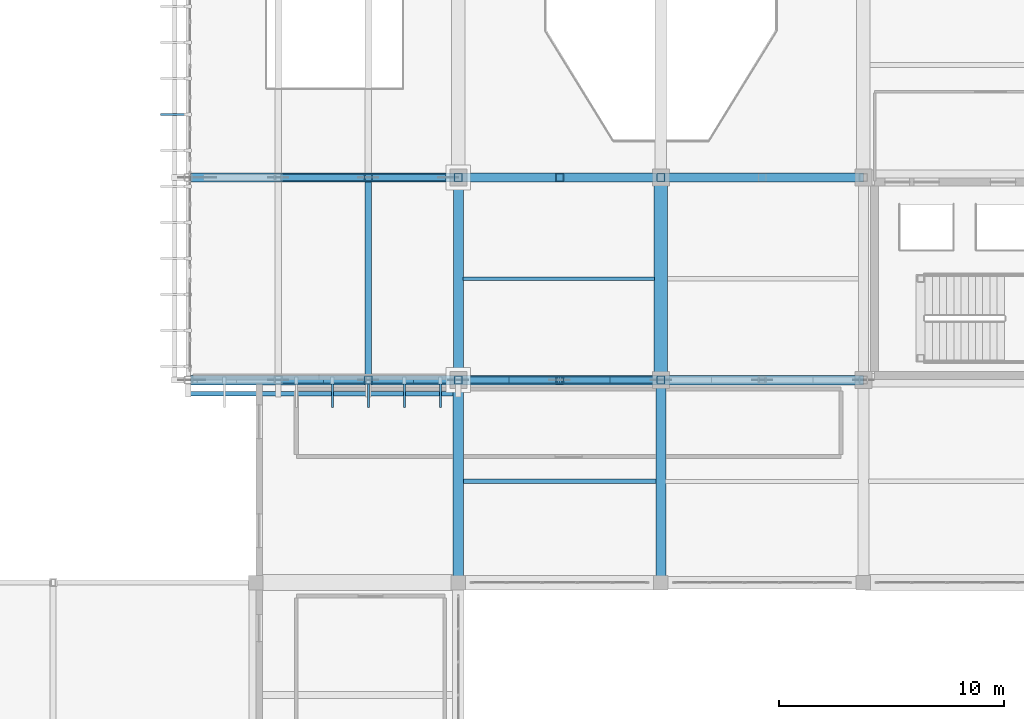
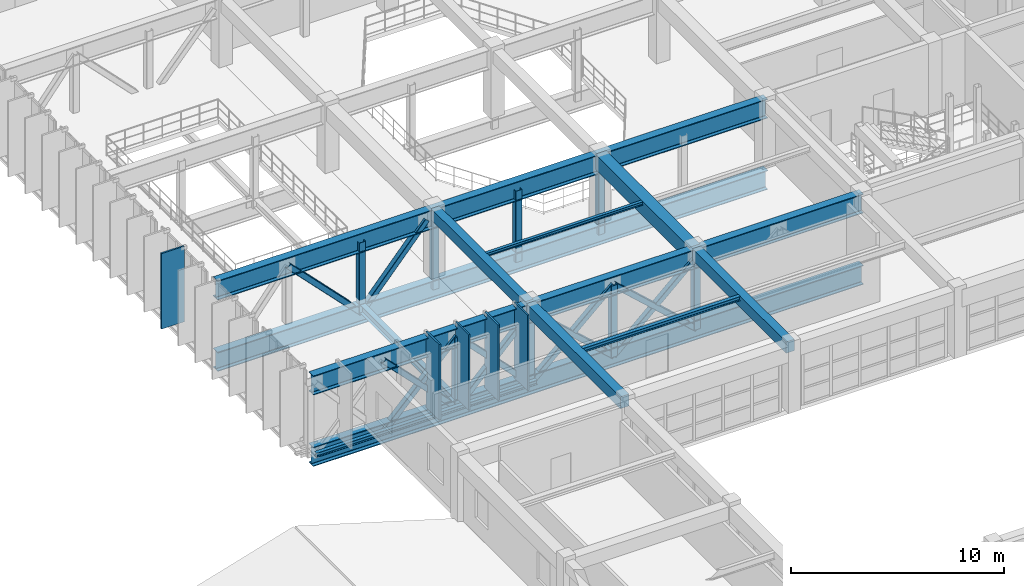
# One storey, part 34 of 130: 23 members, 12 beams.
"""IFC4 building model written with IfcOpenShell, lengths in metres."""

import ifcopenshell
import ifcopenshell.guid

model = None  # the IFC model being written
_history = None  # IfcOwnerHistory: only IFC2X3 demands one
_inside = {}  # id of a spatial element -> (the spatial element, [elements in it])
_under = {}  # id of a project, library or spatial element -> (it, [spatial elements below it])
_declared = {}  # id of a project -> (the project, [libraries it declares])
_typed = {}  # id of a type object -> (the type object, [elements of that type])
_made_of = {}  # id of a material, layer set ... -> (it, [elements and type objects made of it])


def new_model(schema):
    """Start an empty IFC model of exactly this schema.

    Asked for "IFC4X3", IfcOpenShell would pick the latest addendum, in which some entities
    have other attributes; the version numbers below select the first issue.
    IFC2X3 requires an IfcOwnerHistory on every rooted entity: one is made here for all.
    """
    global model, _history
    if schema == "IFC4X3":
        model = ifcopenshell.file(schema_version=(4, 3, 0, 0))
    else:
        model = ifcopenshell.file(schema=schema)
    _inside.clear()
    _under.clear()
    _declared.clear()
    _typed.clear()
    _made_of.clear()
    _history = None
    if model.schema == "IFC2X3":
        org = make("IfcOrganization", Name="unknown")
        user = make(
            "IfcPersonAndOrganization",
            ThePerson=make("IfcPerson", FamilyName="unknown"),
            TheOrganization=org,
        )
        app = make(
            "IfcApplication",
            ApplicationDeveloper=org,
            Version="unknown",
            ApplicationFullName="unknown",
            ApplicationIdentifier="unknown",
        )
        _history = make(
            "IfcOwnerHistory",
            OwningUser=user,
            OwningApplication=app,
            ChangeAction="ADDED",
            CreationDate=0,
        )
    return model


def make(cls, **values):
    """One entity of the class cls with the attributes given. An attribute that is None is left unset."""
    return model.create_entity(
        cls, **{name: value for name, value in values.items() if value is not None}
    )


def rooted(cls, **values):
    """An entity with a GlobalId (a new one), such as an element, a storey or a relation."""
    return make(cls, GlobalId=ifcopenshell.guid.new(), OwnerHistory=_history, **values)


def si_unit(unit_type, name, prefix=None):
    """IfcSIUnit, for example si_unit("LENGTHUNIT", "METRE", prefix="MILLI")."""
    return make("IfcSIUnit", UnitType=unit_type, Prefix=prefix, Name=name)


def assignment(units):
    """IfcUnitAssignment: the units of a project."""
    return None if units is None else make("IfcUnitAssignment", Units=units)


def point(xyz):
    """IfcCartesianPoint."""
    return None if xyz is None else make("IfcCartesianPoint", Coordinates=xyz)


def direction(xyz):
    """IfcDirection."""
    return None if xyz is None else make("IfcDirection", DirectionRatios=xyz)


def frame(location, z_axis=None, x_axis=None):
    """IfcAxis2Placement3D, a coordinate frame: its origin and axes. An axis left out is left unset."""
    return make(
        "IfcAxis2Placement3D",
        Location=point(location),
        Axis=direction(z_axis),
        RefDirection=direction(x_axis),
    )


def frame_2d(location, x_axis=None):
    """IfcAxis2Placement2D, a coordinate frame in the plane: its origin and x axis."""
    return make(
        "IfcAxis2Placement2D", Location=point(location), RefDirection=direction(x_axis)
    )


def origin():
    """The frame at (0, 0, 0) with its axes left unset."""
    return frame((0.0, 0.0, 0.0))


def origin_2d():
    """The frame at (0, 0) in the plane with its x axis left unset."""
    return frame_2d((0.0, 0.0))


def place(relative_to, where):
    """IfcLocalPlacement: puts the frame where relative to a parent placement (None: the world)."""
    return make(
        "IfcLocalPlacement", PlacementRelTo=relative_to, RelativePlacement=where
    )


def context(
    kind, dimensions, precision=None, world=None, true_north=None, identifier=None
):
    """IfcGeometricRepresentationContext, for example the 3D "Model" context."""
    return make(
        "IfcGeometricRepresentationContext",
        ContextIdentifier=identifier,
        ContextType=kind,
        CoordinateSpaceDimension=dimensions,
        Precision=precision,
        WorldCoordinateSystem=world,
        TrueNorth=true_north,
    )


def subcontext(parent, identifier, kind, view, scale=None):
    """IfcGeometricRepresentationSubContext, for example "Body" below "Model"."""
    return make(
        "IfcGeometricRepresentationSubContext",
        ContextIdentifier=identifier,
        ContextType=kind,
        ParentContext=parent,
        TargetScale=scale,
        TargetView=view,
    )


def project(units=None, contexts=None):
    """IfcProject with its units and contexts."""
    return rooted(
        "IfcProject",
        Name="project",
        RepresentationContexts=contexts,
        UnitsInContext=assignment(units),
    )


def spatial(cls, under=None, at=None, **own):
    """A site, building, storey or space (cls), placed at a placement, below another one or the project."""
    s = rooted(cls, ObjectPlacement=at, **own)
    if under is not None:
        _under.setdefault(under.id(), (under, []))[1].append(s)
    return s


def profile(cls, at=None, kind="AREA", **sizes):
    """A parametric profile (cls). Its sizes go by their IFC names, for example OverallWidth=200.0."""
    return make(cls, ProfileType=kind, Position=at, **sizes)


def rectangle(**sizes):
    """IfcRectangleProfileDef."""
    return profile("IfcRectangleProfileDef", **sizes)


def hollow_rectangle(**sizes):
    """IfcRectangleHollowProfileDef."""
    return profile("IfcRectangleHollowProfileDef", **sizes)


def i_section(**sizes):
    """IfcIShapeProfileDef."""
    return profile("IfcIShapeProfileDef", **sizes)


def extrude(swept, where, along, depth):
    """IfcExtrudedAreaSolid: the profile swept, set in the frame where, extruded along a direction by depth."""
    return make(
        "IfcExtrudedAreaSolid",
        SweptArea=swept,
        Position=where,
        ExtrudedDirection=direction(along),
        Depth=depth,
    )


def shape(context_of_items, identifier, shape_type, items):
    """IfcShapeRepresentation: the items that make up one representation, for example the "Body"."""
    return make(
        "IfcShapeRepresentation",
        ContextOfItems=context_of_items,
        RepresentationIdentifier=identifier,
        RepresentationType=shape_type,
        Items=items,
    )


def material(Name=None, Category=None):
    """IfcMaterial."""
    return make("IfcMaterial", Name=Name, Category=Category)


def material_profile(
    of_material, cross_section, Name=None, Category=None, Priority=None
):
    """IfcMaterialProfile: a cross section and its material."""
    return make(
        "IfcMaterialProfile",
        Name=Name,
        Material=of_material,
        Profile=cross_section,
        Priority=Priority,
        Category=Category,
    )


def profile_set(profiles, Name=None, composite=None):
    """IfcMaterialProfileSet."""
    return make(
        "IfcMaterialProfileSet",
        Name=Name,
        MaterialProfiles=profiles,
        CompositeProfile=composite,
    )


def made_of(thing, what):
    """Note that an element or type object is made of a material, layer set ...; save() writes the relation."""
    if what is not None:
        _made_of.setdefault(what.id(), (what, []))[1].append(thing)
    return thing


def type_object(cls, material=None, **own):
    """A type object (cls), such as IfcWallType, which elements share."""
    return made_of(rooted(cls, **own), material)


def element(
    cls,
    number,
    at=None,
    inside=None,
    cuts=None,
    type_object=None,
    material=None,
    context=None,
    identifier="Body",
    shape_type=None,
    held_by="IfcProductDefinitionShape",
    body=None,
    shapes=None,
    **own,
):
    """One element of the class cls, such as IfcWall. Its Tag is "e" and its number.

    at: its placement. inside: the storey or other place that contains it. cuts: it is an
    opening in that element (IfcRelVoidsElement). A single representation is given by context,
    identifier, shape_type and body (its items); several are given by shapes. held_by: the class
    of the entity that holds the representations. save() writes the other relations.
    """
    e = rooted(cls, Tag="e%d" % number, ObjectPlacement=at, **own)
    if body is not None:
        shapes = [shape(context, identifier, shape_type, body)]
    if shapes is not None:
        e.Representation = make(held_by, Representations=shapes)
    if inside is not None:
        _inside.setdefault(inside.id(), (inside, []))[1].append(e)
    if cuts is not None:
        rooted(
            "IfcRelVoidsElement", RelatingBuildingElement=cuts, RelatedOpeningElement=e
        )
    if type_object is not None:
        _typed.setdefault(type_object.id(), (type_object, []))[1].append(e)
    return made_of(e, material)


def aggregate(whole, parts):
    """IfcRelAggregates: a whole, such as a stair, and the parts it consists of."""
    return rooted("IfcRelAggregates", RelatingObject=whole, RelatedObjects=parts)


def save(model, path):
    """Write the relations noted so far, then the file.

    IfcRelAggregates (storeys below a building ...), IfcRelContainedInSpatialStructure (elements
    in a storey), IfcRelDefinesByType, IfcRelAssociatesMaterial and IfcRelDeclares: one each for
    every whole, place, type object, material and project.
    """
    for whole, parts in _under.values():
        aggregate(whole, parts)
    for where, things in _inside.values():
        rooted(
            "IfcRelContainedInSpatialStructure",
            RelatedElements=things,
            RelatingStructure=where,
        )
    for kind, things in _typed.values():
        rooted("IfcRelDefinesByType", RelatedObjects=things, RelatingType=kind)
    for what, things in _made_of.values():
        rooted("IfcRelAssociatesMaterial", RelatedObjects=things, RelatingMaterial=what)
    for by, libraries in _declared.values():
        rooted("IfcRelDeclares", RelatingContext=by, RelatedDefinitions=libraries)
    model.write(path)


model = new_model("IFC4")

# Units and contexts
model_context = context("Model", 3, precision=1e-05, world=origin(), true_north=direction((0.0, 1.0)))
body_context = subcontext(model_context, "Body", "Model", "MODEL_VIEW")
ifc_project = project(units=[si_unit("LENGTHUNIT", "METRE"), si_unit("AREAUNIT", "SQUARE_METRE"), si_unit("VOLUMEUNIT", "CUBIC_METRE"), si_unit("PLANEANGLEUNIT", "RADIAN"), si_unit("MASSUNIT", "GRAM", prefix="KILO")], contexts=[model_context])

# Site, building, storey
site_placement = place(None, origin())
site = spatial("IfcSite", under=ifc_project, at=site_placement, CompositionType="ELEMENT")
building_placement = place(site_placement, origin())
building = spatial("IfcBuilding", under=site, at=building_placement, Name="Miravela Opera House", CompositionType="ELEMENT")
storey_placement = place(building_placement, frame((0.0, 0.0, 9.52001953125)))
storey = spatial("IfcBuildingStorey", under=building, at=storey_placement, Name="L02", CompositionType="ELEMENT", Elevation=9.52001953125)

# Members
ifc_material_1 = material(Name="Anodised architectural bronze aluminium 6063-T6", Category="aluminium")
ifc_material_profile_1 = material_profile(ifc_material_1, rectangle(XDim=0.090087890625, YDim=1.25, at=origin_2d()), Name="FIN-1250X90")
ifc_profile_set_1 = profile_set([ifc_material_profile_1])
member_type_1 = type_object("IfcMemberType", Name="ARC-FIN-1250", PredefinedType="USERDEFINED", material=ifc_profile_set_1)
for number, where, z_axis, x_axis, name in (
    (1, (14.39501953125, 48.800048828125, -0.260009765625), (0.0, 0.0, 1.0), (0.0, 1.0, 0.0), "Auditorium Wrapper Bronze Solar Fin FIN-L02-WEST-0008"),
    (2, (21.39990234375, 36.39501953125, -0.260009765625), (0.0, 0.0, 1.0), (1.0, 0.0, 0.0), "Auditorium Wrapper Bronze Solar Fin FIN-L02-SOUTH-0030"),
    (3, (23.0, 36.39501953125, -0.260009765625), (0.0, 0.0, 1.0), (1.0, 0.0, 0.0), "Auditorium Wrapper Bronze Solar Fin FIN-L02-SOUTH-0032"),
    (4, (24.60009765625, 36.39501953125, -0.260009765625), (0.0, 0.0, 1.0), (1.0, 0.0, 0.0), "Auditorium Wrapper Bronze Solar Fin FIN-L02-SOUTH-0034"),
    (5, (26.199951171875, 36.39501953125, -0.260009765625), (0.0, 0.0, 1.0), (1.0, 0.0, 0.0), "Auditorium Wrapper Bronze Solar Fin FIN-L02-SOUTH-0036"),
):
    element("IfcMember", number, at=place(storey_placement, frame(where, z_axis=z_axis, x_axis=x_axis)), inside=storey, type_object=member_type_1, Name=name, ObjectType="FIN", PredefinedType="USERDEFINED", context=body_context, shape_type="SweptSolid", body=[
        extrude(rectangle(XDim=0.090087890625, YDim=1.25, at=origin_2d()), origin(), (0.0, 0.0, 1.0), 4.340087890625),
    ])

# Beams
ifc_material_2 = material(Name="Concrete C35/45", Category="concrete")
ifc_material_profile_2 = material_profile(ifc_material_2, rectangle(XDim=0.449951171875, YDim=0.64990234375, at=origin_2d()), Name="RC-BM-450X650")
ifc_profile_set_2 = profile_set([ifc_material_profile_2])
beam_type_1 = type_object("IfcBeamType", Name="STR-BM-RC450X650", PredefinedType="BEAM", material=ifc_profile_set_2)
for number, where, z_axis, x_axis, name in (
    (6, (27.0, 37.080078125, 3.514892578125), (0.0, 1.0, 0.0), (-1.0, 0.0, 0.0), "Floor Girder L02 4/E-F"),
    (7, (36.0, 28.080078125, 3.514892578125), (0.0, 1.0, 0.0), (-1.0, 0.0, 0.0), "Floor Girder L02 5/D-E"),
):
    element("IfcBeam", number, at=place(storey_placement, frame(where, z_axis=z_axis, x_axis=x_axis)), inside=storey, type_object=beam_type_1, Name=name, PredefinedType="BEAM", context=body_context, shape_type="SweptSolid", body=[
        extrude(rectangle(XDim=0.449951171875, YDim=0.64990234375, at=origin_2d()), origin(), (0.0, 0.0, 1.0), 8.83984375),
    ])
ifc_material_profile_3 = material_profile(ifc_material_2, rectangle(XDim=0.47998046875, YDim=0.679931640625, at=origin_2d()), Name="RC-BM-480X680")
ifc_profile_set_3 = profile_set([ifc_material_profile_3])
beam_type_2 = type_object("IfcBeamType", Name="STR-BM-RC480X680", PredefinedType="BEAM", material=ifc_profile_set_3)
beam_1_placement = place(storey_placement, frame((27.0, 28.080078125, 3.5), z_axis=(0.0, 1.0, 0.0), x_axis=(-1.0, 0.0, 0.0)))
element("IfcBeam", 8, at=beam_1_placement, inside=storey, type_object=beam_type_2, Name="Floor Girder L02 4/D-E", PredefinedType="BEAM", context=body_context, shape_type="SweptSolid", body=[
    extrude(rectangle(XDim=0.47998046875, YDim=0.679931640625, at=origin_2d()), origin(), (0.0, 0.0, 1.0), 8.83984375),
])
ifc_material_3 = material(Name="Concrete C40/50", Category="concrete")
ifc_material_profile_4 = material_profile(ifc_material_3, rectangle(XDim=0.60009765625, YDim=0.85009765625, at=origin_2d()), Name="RC-BM-600X850")
ifc_profile_set_4 = profile_set([ifc_material_profile_4])
beam_type_3 = type_object("IfcBeamType", Name="STR-BM-RC600X850", PredefinedType="BEAM", material=ifc_profile_set_4)
beam_2_placement = place(storey_placement, frame((36.0, 37.080078125, 3.4150390625), z_axis=(0.0, 1.0, 0.0), x_axis=(-1.0, 0.0, 0.0)))
element("IfcBeam", 9, at=beam_2_placement, inside=storey, type_object=beam_type_3, Name="Floor Girder L02 5/E-F", PredefinedType="BEAM", context=body_context, shape_type="SweptSolid", body=[
    extrude(rectangle(XDim=0.60009765625, YDim=0.85009765625, at=origin_2d()), origin(), (0.0, 0.0, 1.0), 8.83984375),
])
ifc_material_4 = material(Name="Structural steel ASTM A992 Gr. 50", Category="steel")
ifc_material_profile_5 = material_profile(ifc_material_4, i_section(OverallWidth=0.419921875, OverallDepth=1.10595703125, WebThickness=0.02001953125, FlangeThickness=0.0400390625, FilletRadius=0.02392578125, at=origin_2d()), Name="W1100X390")
ifc_profile_set_5 = profile_set([ifc_material_profile_5])
beam_type_4 = type_object("IfcBeamType", Name="STR-BM-W1100X390", PredefinedType="BEAM", material=ifc_profile_set_5)
for number, where, z_axis, x_axis, name in (
    (10, (45.0, 37.0, -0.81298828125), (-1.0, 0.0, 0.0), (0.0, -1.0, 0.0), "Cantilever Truss CT-01 Continuous Bottom Chord"),
    (11, (45.0, 37.0, 3.286865234375), (-1.0, 0.0, 0.0), (0.0, -1.0, 0.0), "Cantilever Truss CT-01 Continuous Top Chord"),
    (12, (45.0, 46.0, -0.81298828125), (-1.0, 0.0, 0.0), (0.0, -1.0, 0.0), "Cantilever Truss CT-02 Continuous Bottom Chord"),
    (13, (45.0, 46.0, 3.286865234375), (-1.0, 0.0, 0.0), (0.0, -1.0, 0.0), "Cantilever Truss CT-02 Continuous Top Chord"),
):
    element("IfcBeam", number, at=place(storey_placement, frame(where, z_axis=z_axis, x_axis=x_axis)), inside=storey, type_object=beam_type_4, Name=name, PredefinedType="BEAM", context=body_context, shape_type="SweptSolid", body=[
        extrude(i_section(OverallWidth=0.419921875, OverallDepth=1.10595703125, WebThickness=0.02001953125, FlangeThickness=0.0400390625, FilletRadius=0.02392578125, at=origin_2d()), origin(), (0.0, 0.0, 1.0), 29.889892578125),
    ])
ifc_material_profile_6 = material_profile(ifc_material_4, i_section(OverallWidth=0.1650390625, OverallDepth=0.200927734375, WebThickness=0.006103515625, FlangeThickness=0.01025390625, FilletRadius=0.010009765625, at=origin_2d()), Name="W200X36")
ifc_profile_set_6 = profile_set([ifc_material_profile_6])
beam_type_5 = type_object("IfcBeamType", Name="STR-BM-W200X36", PredefinedType="LINTEL", material=ifc_profile_set_6)
beam_3_placement = place(storey_placement, frame((27.2099609375, 41.5, 3.739501953125), z_axis=(1.0, 0.0, 0.0), x_axis=(0.0, 1.0, 0.0)))
element("IfcBeam", 14, at=beam_3_placement, inside=storey, type_object=beam_type_5, Name="Secondary Floor Joist L02 4-5/E-F", PredefinedType="LINTEL", context=body_context, shape_type="SweptSolid", body=[
    extrude(i_section(OverallWidth=0.1650390625, OverallDepth=0.200927734375, WebThickness=0.006103515625, FlangeThickness=0.01025390625, FilletRadius=0.010009765625, at=origin_2d()), origin(), (0.0, 0.0, 1.0), 8.505126953125),
])
ifc_material_profile_7 = material_profile(ifc_material_4, i_section(OverallWidth=0.201904296875, OverallDepth=0.2470703125, WebThickness=0.00732421875, FlangeThickness=0.010986328125, FilletRadius=0.011962890625, at=origin_2d()), Name="W250X49")
ifc_profile_set_7 = profile_set([ifc_material_profile_7])
beam_type_6 = type_object("IfcBeamType", Name="STR-BM-W250X49", PredefinedType="LINTEL", material=ifc_profile_set_7)
beam_4_placement = place(storey_placement, frame((27.22509765625, 32.5, 3.716552734375), z_axis=(1.0, 0.0, 0.0), x_axis=(0.0, 1.0, 0.0)))
element("IfcBeam", 15, at=beam_4_placement, inside=storey, type_object=beam_type_6, Name="Secondary Floor Joist L02 4-5/D-E", PredefinedType="LINTEL", context=body_context, shape_type="SweptSolid", body=[
    extrude(i_section(OverallWidth=0.201904296875, OverallDepth=0.2470703125, WebThickness=0.00732421875, FlangeThickness=0.010986328125, FilletRadius=0.011962890625, at=origin_2d()), origin(), (0.0, 0.0, 1.0), 8.56494140625),
])
beam_5_placement = place(storey_placement, frame((15.0, 36.39501953125, -0.383544921875), z_axis=(1.0, 0.0, 0.0), x_axis=(0.0, 1.0, 0.0)))
element("IfcBeam", 16, at=beam_5_placement, inside=storey, type_object=beam_type_6, Name="Facade Fin Support Ledger Beam L02 South", PredefinedType="LINTEL", context=body_context, shape_type="SweptSolid", body=[
    extrude(i_section(OverallWidth=0.201904296875, OverallDepth=0.2470703125, WebThickness=0.00732421875, FlangeThickness=0.010986328125, FilletRadius=0.011962890625, at=origin_2d()), origin(), (0.0, 0.0, 1.0), 12.0),
])
ifc_material_profile_8 = material_profile(ifc_material_4, i_section(OverallWidth=0.280029296875, OverallDepth=0.462890625, WebThickness=0.0107421875, FlangeThickness=0.017333984375, FilletRadius=0.014892578125, at=origin_2d()), Name="W460X113")
ifc_profile_set_8 = profile_set([ifc_material_profile_8])
beam_type_7 = type_object("IfcBeamType", Name="STR-BM-W460X113", PredefinedType="BEAM", material=ifc_profile_set_8)
beam_6_placement = place(storey_placement, frame((23.0, 37.195068359375, -0.491455078125), z_axis=(0.0, 1.0, 0.0), x_axis=(-1.0, 0.0, 0.0)))
element("IfcBeam", 17, at=beam_6_placement, inside=storey, type_object=beam_type_7, Name="Cantilever Overhang Beam L02 X=23", PredefinedType="BEAM", context=body_context, shape_type="SweptSolid", body=[
    extrude(i_section(OverallWidth=0.280029296875, OverallDepth=0.462890625, WebThickness=0.0107421875, FlangeThickness=0.017333984375, FilletRadius=0.014892578125, at=origin_2d()), origin(), (0.0, 0.0, 1.0), 8.60986328125),
])

# Members
ifc_material_5 = material(Name="Hollow structural steel ASTM A500 Gr. C", Category="steel")
ifc_material_profile_9 = material_profile(ifc_material_5, hollow_rectangle(XDim=0.300048828125, YDim=0.300048828125, WallThickness=0.01611328125, InnerFilletRadius=0.01611328125, OuterFilletRadius=0.031982421875, at=origin_2d()), Name="HSS300X300X16")
ifc_profile_set_9 = profile_set([ifc_material_profile_9])
member_type_2 = type_object("IfcMemberType", Name="STR-MEM-CANT-DIAG", PredefinedType="BRACE", material=ifc_profile_set_9)
for number, where, z_axis, x_axis, name in (
    (18, (19.0, 37.0, -0.81298828125), (0.698336634992, 0.0, 0.715769477016), (0.0, 1.0, 0.0), "Cantilever Truss CT-01 Perimeter Web Diagonal 2A"),
    (19, (19.0, 37.0, 3.286865234375), (0.698336634992, 0.0, -0.715769477016), (0.0, 1.0, 0.0), "Cantilever Truss CT-01 Perimeter Web Diagonal 2B"),
    (20, (23.0, 37.0, -0.81298828125), (0.698336634992, 0.0, 0.715769477016), (0.0, 1.0, 0.0), "Cantilever Truss CT-01 Perimeter Web Diagonal 3A"),
    (21, (23.0, 37.0, 3.286865234375), (0.698336634992, 0.0, -0.715769477016), (0.0, 1.0, 0.0), "Cantilever Truss CT-01 Perimeter Web Diagonal 3B"),
):
    element("IfcMember", number, at=place(storey_placement, frame(where, z_axis=z_axis, x_axis=x_axis)), inside=storey, type_object=member_type_2, Name=name, PredefinedType="BRACE", context=body_context, shape_type="SweptSolid", body=[
        extrude(hollow_rectangle(XDim=0.300048828125, YDim=0.300048828125, WallThickness=0.01611328125, InnerFilletRadius=0.01611328125, OuterFilletRadius=0.031982421875, at=origin_2d()), origin(), (0.0, 0.0, 1.0), 5.727783203125),
    ])
for number, where, z_axis, x_axis, name in (
    (22, (27.0, 37.0, -0.81298828125), (0.7392083166, 0.0, 0.673476847909), (0.0, 1.0, 0.0), "Cantilever Truss CT-01 Perimeter Web Diagonal 4A"),
    (23, (27.0, 37.0, 3.286865234375), (0.7392083166, 0.0, -0.673476847909), (0.0, 1.0, 0.0), "Cantilever Truss CT-01 Perimeter Web Diagonal 4B"),
    (24, (31.5, 37.0, -0.81298828125), (0.7392083166, 0.0, 0.673476847909), (0.0, 1.0, 0.0), "Cantilever Truss CT-01 Perimeter Web Diagonal 5A"),
    (25, (31.5, 37.0, 3.286865234375), (0.7392083166, 0.0, -0.673476847909), (0.0, 1.0, 0.0), "Cantilever Truss CT-01 Perimeter Web Diagonal 5B"),
):
    element("IfcMember", number, at=place(storey_placement, frame(where, z_axis=z_axis, x_axis=x_axis)), inside=storey, type_object=member_type_2, Name=name, PredefinedType="BRACE", context=body_context, shape_type="SweptSolid", body=[
        extrude(hollow_rectangle(XDim=0.300048828125, YDim=0.300048828125, WallThickness=0.01611328125, InnerFilletRadius=0.01611328125, OuterFilletRadius=0.031982421875, at=origin_2d()), origin(), (0.0, 0.0, 1.0), 6.087646484375),
    ])
member_1_placement = place(storey_placement, frame((19.0, 46.0, 3.286865234375), z_axis=(0.698336634992, 0.0, -0.715769477016), x_axis=(0.0, 1.0, 0.0)))
element("IfcMember", 26, at=member_1_placement, inside=storey, type_object=member_type_2, Name="Cantilever Truss CT-02 Overhang Web Diagonal 2", PredefinedType="BRACE", context=body_context, shape_type="SweptSolid", body=[
    extrude(hollow_rectangle(XDim=0.300048828125, YDim=0.300048828125, WallThickness=0.01611328125, InnerFilletRadius=0.01611328125, OuterFilletRadius=0.031982421875, at=origin_2d()), origin(), (0.0, 0.0, 1.0), 5.727783203125),
])
member_2_placement = place(storey_placement, frame((23.0, 46.0, -0.81298828125), z_axis=(0.654597986121, 0.0, 0.755977166696), x_axis=(0.0, 1.0, 0.0)))
element("IfcMember", 27, at=member_2_placement, inside=storey, type_object=member_type_2, Name="Cantilever Truss CT-02 Overhang Web Diagonal 3", PredefinedType="BRACE", context=body_context, shape_type="SweptSolid", body=[
    extrude(hollow_rectangle(XDim=0.300048828125, YDim=0.300048828125, WallThickness=0.01611328125, InnerFilletRadius=0.01611328125, OuterFilletRadius=0.031982421875, at=origin_2d()), origin(), (0.0, 0.0, 1.0), 5.42333984375),
])
ifc_material_profile_10 = material_profile(ifc_material_5, hollow_rectangle(XDim=0.35009765625, YDim=0.35009765625, WallThickness=0.01611328125, InnerFilletRadius=0.01611328125, OuterFilletRadius=0.031982421875, at=origin_2d()), Name="HSS350X350X16")
ifc_profile_set_10 = profile_set([ifc_material_profile_10])
member_type_3 = type_object("IfcMemberType", Name="STR-MEM-CANT-POST", PredefinedType="POST", material=ifc_profile_set_10)
for number, where, z_axis, x_axis, name in (
    (28, (23.0, 37.0, -0.81298828125), (0.0, 0.0, 1.0), (1.0, 0.0, 0.0), "Cantilever Truss CT-01 Post X=23.0"),
    (29, (27.0, 37.0, -0.81298828125), (0.0, 0.0, 1.0), (1.0, 0.0, 0.0), "Cantilever Truss CT-01 Post X=27.0"),
    (30, (31.5, 37.0, -0.81298828125), (0.0, 0.0, 1.0), (1.0, 0.0, 0.0), "Cantilever Truss CT-01 Post X=31.5"),
    (31, (36.0, 37.0, -0.81298828125), (0.0, 0.0, 1.0), (1.0, 0.0, 0.0), "Cantilever Truss CT-01 Post X=36.0"),
    (32, (23.0, 46.0, -0.81298828125), (0.0, 0.0, 1.0), (1.0, 0.0, 0.0), "Cantilever Truss CT-02 Post X=23.0"),
    (33, (27.0, 46.0, -0.81298828125), (0.0, 0.0, 1.0), (1.0, 0.0, 0.0), "Cantilever Truss CT-02 Post X=27.0"),
    (34, (31.5, 46.0, -0.81298828125), (0.0, 0.0, 1.0), (1.0, 0.0, 0.0), "Cantilever Truss CT-02 Post X=31.5"),
    (35, (36.0, 46.0, -0.81298828125), (0.0, 0.0, 1.0), (1.0, 0.0, 0.0), "Cantilever Truss CT-02 Post X=36.0"),
):
    element("IfcMember", number, at=place(storey_placement, frame(where, z_axis=z_axis, x_axis=x_axis)), inside=storey, type_object=member_type_3, Name=name, PredefinedType="POST", context=body_context, shape_type="SweptSolid", body=[
        extrude(hollow_rectangle(XDim=0.35009765625, YDim=0.35009765625, WallThickness=0.01611328125, InnerFilletRadius=0.01611328125, OuterFilletRadius=0.031982421875, at=origin_2d()), origin(), (0.0, 0.0, 1.0), 4.099853515625),
    ])

save(model, "model.ifc")
